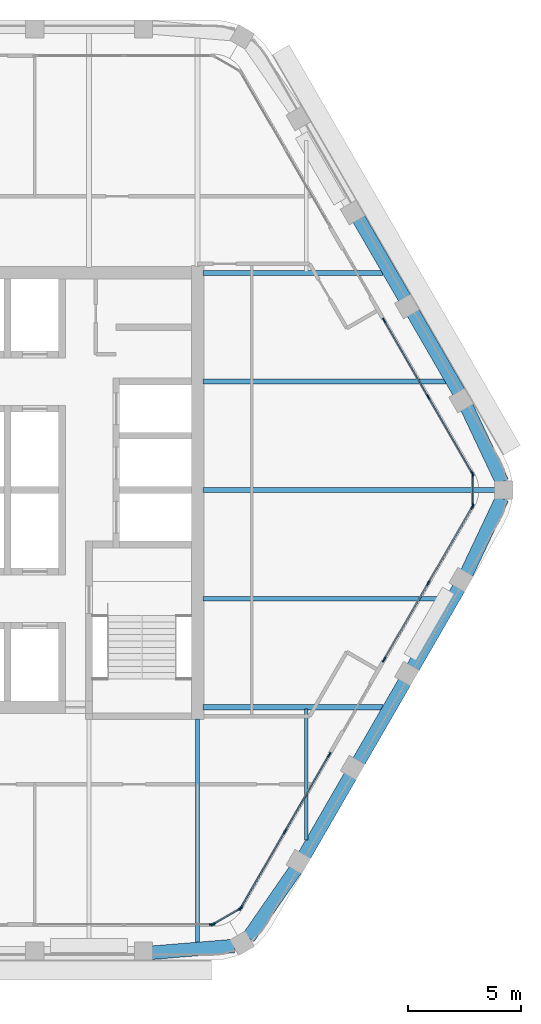
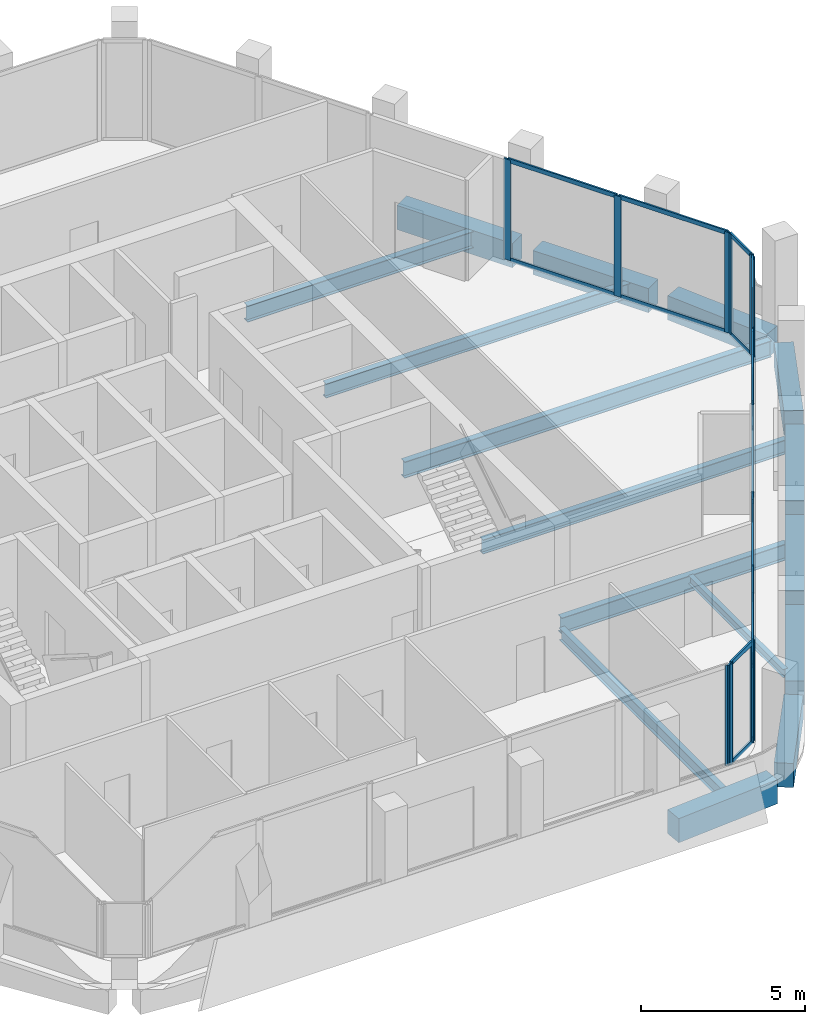
# One storey, part 4 of 13: 30 members, 16 beams, 6 elements without a shape of their own.
"""IFC4 building model written with IfcOpenShell, lengths in metres."""

import ifcopenshell
import ifcopenshell.guid

model = None  # the IFC model being written
_history = None  # IfcOwnerHistory: only IFC2X3 demands one
_inside = {}  # id of a spatial element -> (the spatial element, [elements in it])
_under = {}  # id of a project, library or spatial element -> (it, [spatial elements below it])
_declared = {}  # id of a project -> (the project, [libraries it declares])
_typed = {}  # id of a type object -> (the type object, [elements of that type])
_made_of = {}  # id of a material, layer set ... -> (it, [elements and type objects made of it])


def new_model(schema):
    """Start an empty IFC model of exactly this schema.

    Asked for "IFC4X3", IfcOpenShell would pick the latest addendum, in which some entities
    have other attributes; the version numbers below select the first issue.
    IFC2X3 requires an IfcOwnerHistory on every rooted entity: one is made here for all.
    """
    global model, _history
    if schema == "IFC4X3":
        model = ifcopenshell.file(schema_version=(4, 3, 0, 0))
    else:
        model = ifcopenshell.file(schema=schema)
    _inside.clear()
    _under.clear()
    _declared.clear()
    _typed.clear()
    _made_of.clear()
    _history = None
    if model.schema == "IFC2X3":
        org = make("IfcOrganization", Name="unknown")
        user = make(
            "IfcPersonAndOrganization",
            ThePerson=make("IfcPerson", FamilyName="unknown"),
            TheOrganization=org,
        )
        app = make(
            "IfcApplication",
            ApplicationDeveloper=org,
            Version="unknown",
            ApplicationFullName="unknown",
            ApplicationIdentifier="unknown",
        )
        _history = make(
            "IfcOwnerHistory",
            OwningUser=user,
            OwningApplication=app,
            ChangeAction="ADDED",
            CreationDate=0,
        )
    return model


def make(cls, **values):
    """One entity of the class cls with the attributes given. An attribute that is None is left unset."""
    return model.create_entity(
        cls, **{name: value for name, value in values.items() if value is not None}
    )


def rooted(cls, **values):
    """An entity with a GlobalId (a new one), such as an element, a storey or a relation."""
    return make(cls, GlobalId=ifcopenshell.guid.new(), OwnerHistory=_history, **values)


def si_unit(unit_type, name, prefix=None):
    """IfcSIUnit, for example si_unit("LENGTHUNIT", "METRE", prefix="MILLI")."""
    return make("IfcSIUnit", UnitType=unit_type, Prefix=prefix, Name=name)


def assignment(units):
    """IfcUnitAssignment: the units of a project."""
    return None if units is None else make("IfcUnitAssignment", Units=units)


def point(xyz):
    """IfcCartesianPoint."""
    return None if xyz is None else make("IfcCartesianPoint", Coordinates=xyz)


def direction(xyz):
    """IfcDirection."""
    return None if xyz is None else make("IfcDirection", DirectionRatios=xyz)


def frame(location, z_axis=None, x_axis=None):
    """IfcAxis2Placement3D, a coordinate frame: its origin and axes. An axis left out is left unset."""
    return make(
        "IfcAxis2Placement3D",
        Location=point(location),
        Axis=direction(z_axis),
        RefDirection=direction(x_axis),
    )


def frame_2d(location, x_axis=None):
    """IfcAxis2Placement2D, a coordinate frame in the plane: its origin and x axis."""
    return make(
        "IfcAxis2Placement2D", Location=point(location), RefDirection=direction(x_axis)
    )


def origin():
    """The frame at (0, 0, 0) with its axes left unset."""
    return frame((0.0, 0.0, 0.0))


def origin_2d():
    """The frame at (0, 0) in the plane with its x axis left unset."""
    return frame_2d((0.0, 0.0))


def place(relative_to, where):
    """IfcLocalPlacement: puts the frame where relative to a parent placement (None: the world)."""
    return make(
        "IfcLocalPlacement", PlacementRelTo=relative_to, RelativePlacement=where
    )


def context(
    kind, dimensions, precision=None, world=None, true_north=None, identifier=None
):
    """IfcGeometricRepresentationContext, for example the 3D "Model" context."""
    return make(
        "IfcGeometricRepresentationContext",
        ContextIdentifier=identifier,
        ContextType=kind,
        CoordinateSpaceDimension=dimensions,
        Precision=precision,
        WorldCoordinateSystem=world,
        TrueNorth=true_north,
    )


def subcontext(parent, identifier, kind, view, scale=None):
    """IfcGeometricRepresentationSubContext, for example "Body" below "Model"."""
    return make(
        "IfcGeometricRepresentationSubContext",
        ContextIdentifier=identifier,
        ContextType=kind,
        ParentContext=parent,
        TargetScale=scale,
        TargetView=view,
    )


def project(units=None, contexts=None):
    """IfcProject with its units and contexts."""
    return rooted(
        "IfcProject",
        Name="project",
        RepresentationContexts=contexts,
        UnitsInContext=assignment(units),
    )


def spatial(cls, under=None, at=None, **own):
    """A site, building, storey or space (cls), placed at a placement, below another one or the project."""
    s = rooted(cls, ObjectPlacement=at, **own)
    if under is not None:
        _under.setdefault(under.id(), (under, []))[1].append(s)
    return s


def profile(cls, at=None, kind="AREA", **sizes):
    """A parametric profile (cls). Its sizes go by their IFC names, for example OverallWidth=200.0."""
    return make(cls, ProfileType=kind, Position=at, **sizes)


def rectangle(**sizes):
    """IfcRectangleProfileDef."""
    return profile("IfcRectangleProfileDef", **sizes)


def i_section(**sizes):
    """IfcIShapeProfileDef."""
    return profile("IfcIShapeProfileDef", **sizes)


def extrude(swept, where, along, depth):
    """IfcExtrudedAreaSolid: the profile swept, set in the frame where, extruded along a direction by depth."""
    return make(
        "IfcExtrudedAreaSolid",
        SweptArea=swept,
        Position=where,
        ExtrudedDirection=direction(along),
        Depth=depth,
    )


def shape(context_of_items, identifier, shape_type, items):
    """IfcShapeRepresentation: the items that make up one representation, for example the "Body"."""
    return make(
        "IfcShapeRepresentation",
        ContextOfItems=context_of_items,
        RepresentationIdentifier=identifier,
        RepresentationType=shape_type,
        Items=items,
    )


def material(Name=None, Category=None):
    """IfcMaterial."""
    return make("IfcMaterial", Name=Name, Category=Category)


def material_profile(
    of_material, cross_section, Name=None, Category=None, Priority=None
):
    """IfcMaterialProfile: a cross section and its material."""
    return make(
        "IfcMaterialProfile",
        Name=Name,
        Material=of_material,
        Profile=cross_section,
        Priority=Priority,
        Category=Category,
    )


def profile_set(profiles, Name=None, composite=None):
    """IfcMaterialProfileSet."""
    return make(
        "IfcMaterialProfileSet",
        Name=Name,
        MaterialProfiles=profiles,
        CompositeProfile=composite,
    )


def made_of(thing, what):
    """Note that an element or type object is made of a material, layer set ...; save() writes the relation."""
    if what is not None:
        _made_of.setdefault(what.id(), (what, []))[1].append(thing)
    return thing


def type_object(cls, material=None, **own):
    """A type object (cls), such as IfcWallType, which elements share."""
    return made_of(rooted(cls, **own), material)


def element(
    cls,
    number,
    at=None,
    inside=None,
    cuts=None,
    type_object=None,
    material=None,
    context=None,
    identifier="Body",
    shape_type=None,
    held_by="IfcProductDefinitionShape",
    body=None,
    shapes=None,
    **own,
):
    """One element of the class cls, such as IfcWall. Its Tag is "e" and its number.

    at: its placement. inside: the storey or other place that contains it. cuts: it is an
    opening in that element (IfcRelVoidsElement). A single representation is given by context,
    identifier, shape_type and body (its items); several are given by shapes. held_by: the class
    of the entity that holds the representations. save() writes the other relations.
    """
    e = rooted(cls, Tag="e%d" % number, ObjectPlacement=at, **own)
    if body is not None:
        shapes = [shape(context, identifier, shape_type, body)]
    if shapes is not None:
        e.Representation = make(held_by, Representations=shapes)
    if inside is not None:
        _inside.setdefault(inside.id(), (inside, []))[1].append(e)
    if cuts is not None:
        rooted(
            "IfcRelVoidsElement", RelatingBuildingElement=cuts, RelatedOpeningElement=e
        )
    if type_object is not None:
        _typed.setdefault(type_object.id(), (type_object, []))[1].append(e)
    return made_of(e, material)


def aggregate(whole, parts):
    """IfcRelAggregates: a whole, such as a stair, and the parts it consists of."""
    return rooted("IfcRelAggregates", RelatingObject=whole, RelatedObjects=parts)


def save(model, path):
    """Write the relations noted so far, then the file.

    IfcRelAggregates (storeys below a building ...), IfcRelContainedInSpatialStructure (elements
    in a storey), IfcRelDefinesByType, IfcRelAssociatesMaterial and IfcRelDeclares: one each for
    every whole, place, type object, material and project.
    """
    for whole, parts in _under.values():
        aggregate(whole, parts)
    for where, things in _inside.values():
        rooted(
            "IfcRelContainedInSpatialStructure",
            RelatedElements=things,
            RelatingStructure=where,
        )
    for kind, things in _typed.values():
        rooted("IfcRelDefinesByType", RelatedObjects=things, RelatingType=kind)
    for what, things in _made_of.values():
        rooted("IfcRelAssociatesMaterial", RelatedObjects=things, RelatingMaterial=what)
    for by, libraries in _declared.values():
        rooted("IfcRelDeclares", RelatingContext=by, RelatedDefinitions=libraries)
    model.write(path)


model = new_model("IFC4")

# Units and contexts
model_context = context("Model", 3, precision=1e-05, world=origin(), true_north=direction((0.0, 1.0)))
body_context = subcontext(model_context, "Body", "Model", "MODEL_VIEW")
ifc_project = project(units=[si_unit("LENGTHUNIT", "METRE"), si_unit("AREAUNIT", "SQUARE_METRE"), si_unit("VOLUMEUNIT", "CUBIC_METRE"), si_unit("PLANEANGLEUNIT", "RADIAN"), si_unit("MASSUNIT", "GRAM", prefix="KILO")], contexts=[model_context])

# Site, building, storey
site_placement = place(None, origin())
site = spatial("IfcSite", under=ifc_project, at=site_placement, CompositionType="ELEMENT")
building_placement = place(site_placement, origin())
building = spatial("IfcBuilding", under=site, at=building_placement, Name="Kolab Exchange Tower", CompositionType="ELEMENT")
storey_placement = place(building_placement, frame((0.0, 0.0, 277.39990234375)))
storey = spatial("IfcBuildingStorey", under=building, at=storey_placement, Name="L62", CompositionType="ELEMENT", Elevation=277.39990234375)

# Beams
ifc_material_1 = material(Name="Steel S355", Category="steel")
ifc_material_profile_1 = material_profile(ifc_material_1, i_section(OverallWidth=0.1650390625, OverallDepth=0.31005859375, WebThickness=0.005859375, FlangeThickness=0.009765625, at=origin_2d()), Name="W310X39")
ifc_profile_set_1 = profile_set([ifc_material_profile_1], Name="Steel S355")
beam_type_1 = type_object("IfcBeamType", Name="FLOOR BEAM W310X39", PredefinedType="BEAM", material=ifc_profile_set_1)
beam_1_placement = place(storey_placement, frame((14.39990234375, -15.4677734375, -0.304931640625), z_axis=(0.0, 1.0, 0.0), x_axis=(-1.0, 0.0, 0.0)))
element("IfcBeam", 1, at=beam_1_placement, inside=storey, type_object=beam_type_1, Name="beam/L62/fr/018", PredefinedType="BEAM", context=body_context, shape_type="SweptSolid", body=[
    extrude(i_section(OverallWidth=0.1650390625, OverallDepth=0.31005859375, WebThickness=0.005859375, FlangeThickness=0.009765625, at=origin_2d()), origin(), (0.0, 0.0, 1.0), 5.793701171875),
])
ifc_material_profile_2 = material_profile(ifc_material_1, i_section(OverallWidth=0.18994140625, OverallDepth=0.45703125, WebThickness=0.009033203125, FlangeThickness=0.014404296875, at=origin_2d()), Name="W460X74")
ifc_profile_set_2 = profile_set([ifc_material_profile_2], Name="Steel S355")
beam_type_2 = type_object("IfcBeamType", Name="FLOOR BEAM W460X74", PredefinedType="BEAM", material=ifc_profile_set_2)
beam_2_placement = place(storey_placement, frame((9.60009765625, -20.027099609375, -0.37841796875), z_axis=(0.0, 1.0, 0.0), x_axis=(-1.0, 0.0, 0.0)))
element("IfcBeam", 2, at=beam_2_placement, inside=storey, type_object=beam_type_2, Name="beam/L62/fr/013", PredefinedType="BEAM", context=body_context, shape_type="SweptSolid", body=[
    extrude(i_section(OverallWidth=0.18994140625, OverallDepth=0.45703125, WebThickness=0.009033203125, FlangeThickness=0.014404296875, at=origin_2d()), origin(), (0.0, 0.0, 1.0), 9.9169921875),
])
ifc_material_profile_3 = material_profile(ifc_material_1, i_section(OverallWidth=0.208984375, OverallDepth=0.532958984375, WebThickness=0.01025390625, FlangeThickness=0.015625, at=origin_2d()), Name="W530X92")
ifc_profile_set_3 = profile_set([ifc_material_profile_3], Name="Steel S355")
beam_type_3 = type_object("IfcBeamType", Name="FLOOR BEAM W530X92", PredefinedType="BEAM", material=ifc_profile_set_3)
for number, where, z_axis, x_axis, name in (
    (3, (9.8349609375, -4.800048828125, -0.41650390625), (1.0, 0.0, 0.0), (0.0, 1.0, 0.0), "beam/L62/fr/015"),
    (4, (9.8349609375, 4.800048828125, -0.41650390625), (1.0, 0.0, 0.0), (0.0, 1.0, 0.0), "beam/L62/fr/017"),
):
    element("IfcBeam", number, at=place(storey_placement, frame(where, z_axis=z_axis, x_axis=x_axis)), inside=storey, type_object=beam_type_3, Name=name, PredefinedType="BEAM", context=body_context, shape_type="SweptSolid", body=[
        extrude(i_section(OverallWidth=0.208984375, OverallDepth=0.532958984375, WebThickness=0.01025390625, FlangeThickness=0.015625, at=origin_2d()), origin(), (0.0, 0.0, 1.0), 10.740966796875),
    ])
ifc_material_profile_4 = material_profile(ifc_material_1, i_section(OverallWidth=0.22802734375, OverallDepth=0.60791015625, WebThickness=0.01123046875, FlangeThickness=0.017333984375, at=origin_2d()), Name="W610X113")
ifc_profile_set_4 = profile_set([ifc_material_profile_4], Name="Steel S355")
beam_type_4 = type_object("IfcBeamType", Name="FLOOR BEAM W610X113", PredefinedType="BEAM", material=ifc_profile_set_4)
beam_3_placement = place(storey_placement, frame((9.8349609375, 0.0, -0.453857421875), z_axis=(1.0, 0.0, 0.0), x_axis=(0.0, 1.0, 0.0)))
element("IfcBeam", 5, at=beam_3_placement, inside=storey, type_object=beam_type_4, Name="beam/L62/fr/016", PredefinedType="BEAM", context=body_context, shape_type="SweptSolid", body=[
    extrude(i_section(OverallWidth=0.22802734375, OverallDepth=0.60791015625, WebThickness=0.01123046875, FlangeThickness=0.017333984375, at=origin_2d()), origin(), (0.0, 0.0, 1.0), 12.94091796875),
])
ifc_material_profile_5 = material_profile(ifc_material_1, i_section(OverallWidth=0.22802734375, OverallDepth=0.60791015625, WebThickness=0.01123046875, FlangeThickness=0.017333984375, at=origin_2d()), Name="W610X113")
ifc_profile_set_5 = profile_set([ifc_material_profile_5], Name="Steel S355")
beam_type_5 = type_object("IfcBeamType", Name="FLOOR GIRDER W610X113", PredefinedType="BEAM", material=ifc_profile_set_5)
for number, where, z_axis, x_axis, name in (
    (6, (9.8349609375, -9.60009765625, -0.453857421875), (1.0, 0.0, 0.0), (0.0, 1.0, 0.0), "beam/L62/gd/002"),
    (7, (9.8349609375, 9.60009765625, -0.453857421875), (1.0, 0.0, 0.0), (0.0, 1.0, 0.0), "beam/L62/gd/003"),
):
    element("IfcBeam", number, at=place(storey_placement, frame(where, z_axis=z_axis, x_axis=x_axis)), inside=storey, type_object=beam_type_5, Name=name, PredefinedType="BEAM", context=body_context, shape_type="SweptSolid", body=[
        extrude(i_section(OverallWidth=0.22802734375, OverallDepth=0.60791015625, WebThickness=0.01123046875, FlangeThickness=0.017333984375, at=origin_2d()), origin(), (0.0, 0.0, 1.0), 7.9697265625),
    ])
ifc_material_2 = material(Name="Concrete C50/60", Category="concrete")
ifc_material_profile_6 = material_profile(ifc_material_2, rectangle(XDim=0.60009765625, YDim=0.89990234375, at=origin_2d()), Name="RC600X900")
ifc_profile_set_6 = profile_set([ifc_material_profile_6], Name="Concrete C50/60")
beam_type_6 = type_object("IfcBeamType", Name="SPANDREL BEAM 600X900 C50/60", PredefinedType="BEAM", material=ifc_profile_set_6)
for number, where, z_axis, x_axis, name in (
    (8, (16.72021484375, 12.009033203125, -0.599853515625), (0.500000428765, -0.866025156237, 0.0), (0.866025156237, 0.500000428765, 0.0), "beam/L62/sp/F2-03"),
    (9, (19.1201171875, 7.85205078125, -0.599853515625), (0.500000428765, -0.866025156237, 0.0), (0.866025156237, 0.500000428765, 0.0), "beam/L62/sp/F2-04"),
):
    element("IfcBeam", number, at=place(storey_placement, frame(where, z_axis=z_axis, x_axis=x_axis)), inside=storey, type_object=beam_type_6, Name=name, PredefinedType="BEAM", context=body_context, shape_type="SweptSolid", body=[
        extrude(rectangle(XDim=0.60009765625, YDim=0.89990234375, at=origin_2d()), origin(), (0.0, 0.0, 1.0), 4.080078125),
    ])
for number, where, z_axis, x_axis, name in (
    (10, (21.49462890625, 3.68017578125, -0.599853515625), (0.427677251998, -0.903931506323, 0.0), (0.903931506323, 0.427677251998, 0.0), "beam/L62/sp/F2-05"),
    (11, (23.063720703125, -0.36376953125, -0.599853515625), (-0.427677251998, -0.903931506323, 0.0), (0.903931506323, -0.427677251998, 0.0), "beam/L62/sp/F3-01"),
):
    element("IfcBeam", number, at=place(storey_placement, frame(where, z_axis=z_axis, x_axis=x_axis)), inside=storey, type_object=beam_type_6, Name=name, PredefinedType="BEAM", context=body_context, shape_type="SweptSolid", body=[
        extrude(rectangle(XDim=0.60009765625, YDim=0.89990234375, at=origin_2d()), origin(), (0.0, 0.0, 1.0), 3.6689453125),
    ])
for number, where, z_axis, x_axis, name in (
    (12, (21.16015625, -4.318603515625, -0.599853515625), (-0.500000428765, -0.866025156237, 0.0), (0.866025156237, -0.500000428765, 0.0), "beam/L62/sp/F3-02"),
    (13, (18.76025390625, -8.4755859375, -0.599853515625), (-0.500000428765, -0.866025156237, 0.0), (0.866025156237, -0.500000428765, 0.0), "beam/L62/sp/F3-03"),
):
    element("IfcBeam", number, at=place(storey_placement, frame(where, z_axis=z_axis, x_axis=x_axis)), inside=storey, type_object=beam_type_6, Name=name, PredefinedType="BEAM", context=body_context, shape_type="SweptSolid", body=[
        extrude(rectangle(XDim=0.60009765625, YDim=0.89990234375, at=origin_2d()), origin(), (0.0, 0.0, 1.0), 4.080078125),
    ])
beam_4_placement = place(storey_placement, frame((16.360107421875, -12.632568359375, -0.599853515625), z_axis=(-0.499955548806, -0.866051066172, 0.0), x_axis=(0.866051066172, -0.499955548806, 0.0)))
element("IfcBeam", 14, at=beam_4_placement, inside=storey, type_object=beam_type_6, Name="beam/L62/sp/F3-04", PredefinedType="BEAM", context=body_context, shape_type="SweptSolid", body=[
    extrude(rectangle(XDim=0.60009765625, YDim=0.89990234375, at=origin_2d()), origin(), (0.0, 0.0, 1.0), 4.079833984375),
])
for number, where, z_axis, x_axis, name in (
    (15, (13.9345703125, -16.77490234375, -0.599853515625), (-0.569005808573, -0.822333502789, 0.0), (0.822333502789, -0.569005808573, 0.0), "beam/L62/sp/F3-05"),
    (16, (11.216796875, -20.15576171875, -0.599853515625), (-0.996666751878, -0.081580547323, 0.0), (0.081580547323, -0.996666751878, 0.0), "beam/L62/sp/F4-01"),
):
    element("IfcBeam", number, at=place(storey_placement, frame(where, z_axis=z_axis, x_axis=x_axis)), inside=storey, type_object=beam_type_6, Name=name, PredefinedType="BEAM", context=body_context, shape_type="SweptSolid", body=[
        extrude(rectangle(XDim=0.60009765625, YDim=0.89990234375, at=origin_2d()), origin(), (0.0, 0.0, 1.0), 3.6689453125),
    ])

# Curtain wall, members
ifc_material_3 = material(Name="Aluminium EN AW-6063 T6", Category="aluminium")
curtain_wall_type = type_object("IfcCurtainWallType", Name="UNITISED HIGH ZONE CURTAIN WALL", PredefinedType="NOTDEFINED", material=ifc_material_3)
curtain_wall_1_placement = place(storey_placement, origin())
curtain_wall_1 = element("IfcCurtainWall", 17, at=curtain_wall_1_placement, inside=storey, type_object=curtain_wall_type, Name="cw/L62/F2-2", PredefinedType="NOTDEFINED")
ifc_material_profile_7 = material_profile(ifc_material_3, rectangle(XDim=0.06005859375, YDim=0.239990234375, at=origin_2d()), Name="RECT 60X240")
ifc_profile_set_7 = profile_set([ifc_material_profile_7], Name="Aluminium EN AW-6063 T6")
member_type_1 = type_object("IfcMemberType", Name="UNITISED HIGH ZONE MULLION 60 X 240", PredefinedType="MULLION", material=ifc_profile_set_7)
member_1_placement = place(storey_placement, frame((17.8466796875, 7.497802734375, 0.0), z_axis=(0.0, 0.0, 1.0), x_axis=(0.866025440524, 0.499999936366, 0.0)))
member_1 = element("IfcMember", 18, at=member_1_placement, type_object=member_type_1, Name="CW4 mullion 1", PredefinedType="MULLION", context=body_context, shape_type="SweptSolid", body=[
    extrude(rectangle(XDim=0.06005859375, YDim=0.239990234375, at=origin_2d()), origin(), (0.0, 0.0, 1.0), 3.75),
])
member_2_placement = place(storey_placement, frame((19.798583984375, 4.116943359375, 0.0), z_axis=(0.0, 0.0, 1.0), x_axis=(0.866025440524, 0.499999936366, 0.0)))
member_2 = element("IfcMember", 19, at=member_2_placement, type_object=member_type_1, Name="CW4 mullion 2", PredefinedType="MULLION", context=body_context, shape_type="SweptSolid", body=[
    extrude(rectangle(XDim=0.06005859375, YDim=0.239990234375, at=origin_2d()), origin(), (0.0, 0.0, 1.0), 3.75),
])
member_3_placement = place(storey_placement, frame((21.750732421875, 0.736083984375, 0.0), z_axis=(0.0, 0.0, 1.0), x_axis=(0.866025440524, 0.499999936366, 0.0)))
member_3 = element("IfcMember", 20, at=member_3_placement, type_object=member_type_1, Name="CW4 mullion 3", PredefinedType="MULLION", context=body_context, shape_type="SweptSolid", body=[
    extrude(rectangle(XDim=0.06005859375, YDim=0.239990234375, at=origin_2d()), origin(), (0.0, 0.0, 1.0), 3.75),
])

curtain_wall_2_placement = place(storey_placement, origin())
curtain_wall_2 = element("IfcCurtainWall", 21, at=curtain_wall_2_placement, inside=storey, type_object=curtain_wall_type, Name="cw/L62/F3-1", PredefinedType="NOTDEFINED")
member_4_placement = place(storey_placement, frame((21.750732421875, -0.736083984375, 0.0), z_axis=(0.0, 0.0, 1.0), x_axis=(0.866025440524, -0.499999936366, 0.0)))
member_4 = element("IfcMember", 22, at=member_4_placement, type_object=member_type_1, Name="CW4 mullion 1", PredefinedType="MULLION", context=body_context, shape_type="SweptSolid", body=[
    extrude(rectangle(XDim=0.06005859375, YDim=0.239990234375, at=origin_2d()), origin(), (0.0, 0.0, 1.0), 3.75),
])
member_5_placement = place(storey_placement, frame((19.798583984375, -4.116943359375, 0.0), z_axis=(0.0, 0.0, 1.0), x_axis=(0.866025440524, -0.499999936366, 0.0)))
member_5 = element("IfcMember", 23, at=member_5_placement, type_object=member_type_1, Name="CW4 mullion 2", PredefinedType="MULLION", context=body_context, shape_type="SweptSolid", body=[
    extrude(rectangle(XDim=0.06005859375, YDim=0.239990234375, at=origin_2d()), origin(), (0.0, 0.0, 1.0), 3.75),
])
member_6_placement = place(storey_placement, frame((17.8466796875, -7.497802734375, 0.0), z_axis=(0.0, 0.0, 1.0), x_axis=(0.866025440524, -0.499999936366, 0.0)))
member_6 = element("IfcMember", 24, at=member_6_placement, type_object=member_type_1, Name="CW4 mullion 3", PredefinedType="MULLION", context=body_context, shape_type="SweptSolid", body=[
    extrude(rectangle(XDim=0.06005859375, YDim=0.239990234375, at=origin_2d()), origin(), (0.0, 0.0, 1.0), 3.75),
])

curtain_wall_3_placement = place(storey_placement, origin())
curtain_wall_3 = element("IfcCurtainWall", 25, at=curtain_wall_3_placement, inside=storey, type_object=curtain_wall_type, Name="cw/L62/F3-2", PredefinedType="NOTDEFINED")
member_7_placement = place(storey_placement, frame((15.416748046875, -11.706787109375, 0.0), z_axis=(0.0, 0.0, 1.0), x_axis=(0.866025385493, -0.500000031681, 0.0)))
member_7 = element("IfcMember", 26, at=member_7_placement, type_object=member_type_1, Name="CW4 mullion 1", PredefinedType="MULLION", context=body_context, shape_type="SweptSolid", body=[
    extrude(rectangle(XDim=0.06005859375, YDim=0.239990234375, at=origin_2d()), origin(), (0.0, 0.0, 1.0), 3.75),
])
member_8_placement = place(storey_placement, frame((13.464599609375, -15.087646484375, 0.0), z_axis=(0.0, 0.0, 1.0), x_axis=(0.866025385493, -0.500000031681, 0.0)))
member_8 = element("IfcMember", 27, at=member_8_placement, type_object=member_type_1, Name="CW4 mullion 2", PredefinedType="MULLION", context=body_context, shape_type="SweptSolid", body=[
    extrude(rectangle(XDim=0.06005859375, YDim=0.239990234375, at=origin_2d()), origin(), (0.0, 0.0, 1.0), 3.75),
])
member_9_placement = place(storey_placement, frame((11.5126953125, -18.46875, 0.0), z_axis=(0.0, 0.0, 1.0), x_axis=(0.866025385493, -0.500000031681, 0.0)))
member_9 = element("IfcMember", 28, at=member_9_placement, type_object=member_type_1, Name="CW4 mullion 3", PredefinedType="MULLION", context=body_context, shape_type="SweptSolid", body=[
    extrude(rectangle(XDim=0.06005859375, YDim=0.239990234375, at=origin_2d()), origin(), (0.0, 0.0, 1.0), 3.75),
])

# Curtain wall, member
curtain_wall_4_placement = place(storey_placement, origin())
curtain_wall_4 = element("IfcCurtainWall", 29, at=curtain_wall_4_placement, inside=storey, type_object=curtain_wall_type, Name="cw/L62/F4-1", PredefinedType="NOTDEFINED")
member_10_placement = place(storey_placement, frame((10.238037109375, -19.20458984375, 0.0), z_axis=(0.0, 0.0, 1.0), x_axis=(0.0, -1.0, 0.0)))
member_10 = element("IfcMember", 30, at=member_10_placement, type_object=member_type_1, Name="CW4 mullion 1", PredefinedType="MULLION", context=body_context, shape_type="SweptSolid", body=[
    extrude(rectangle(XDim=0.06005859375, YDim=0.239990234375, at=origin_2d()), origin(), (0.0, 0.0, 1.0), 3.75),
])
aggregate(curtain_wall_4, [member_10])

# Curtain wall, members
curtain_wall_5_placement = place(storey_placement, origin())
curtain_wall_5 = element("IfcCurtainWall", 31, at=curtain_wall_5_placement, inside=storey, type_object=curtain_wall_type, Name="cw/L62/F2F3-corner", PredefinedType="NOTDEFINED")
member_11_placement = place(storey_placement, frame((21.765625, 0.679931640625, 0.0), z_axis=(0.0, 0.0, 1.0), x_axis=(1.0, 0.0, 0.0)))
member_11 = element("IfcMember", 32, at=member_11_placement, type_object=member_type_1, Name="CW4 mullion 1", PredefinedType="MULLION", context=body_context, shape_type="SweptSolid", body=[
    extrude(rectangle(XDim=0.06005859375, YDim=0.239990234375, at=origin_2d()), origin(), (0.0, 0.0, 1.0), 3.75),
])
member_12_placement = place(storey_placement, frame((21.765625, -0.679931640625, 0.0), z_axis=(0.0, 0.0, 1.0), x_axis=(1.0, 0.0, 0.0)))
member_12 = element("IfcMember", 33, at=member_12_placement, type_object=member_type_1, Name="CW4 mullion 2", PredefinedType="MULLION", context=body_context, shape_type="SweptSolid", body=[
    extrude(rectangle(XDim=0.06005859375, YDim=0.239990234375, at=origin_2d()), origin(), (0.0, 0.0, 1.0), 3.75),
])

curtain_wall_6_placement = place(storey_placement, origin())
curtain_wall_6 = element("IfcCurtainWall", 34, at=curtain_wall_6_placement, inside=storey, type_object=curtain_wall_type, Name="cw/L62/F3F4-corner", PredefinedType="NOTDEFINED")
member_13_placement = place(storey_placement, frame((11.4716796875, -18.509521484375, 0.0), z_axis=(0.0, 0.0, 1.0), x_axis=(0.50000002237, -0.866025390869, 0.0)))
member_13 = element("IfcMember", 35, at=member_13_placement, type_object=member_type_1, Name="CW4 mullion 1", PredefinedType="MULLION", context=body_context, shape_type="SweptSolid", body=[
    extrude(rectangle(XDim=0.06005859375, YDim=0.239990234375, at=origin_2d()), origin(), (0.0, 0.0, 1.0), 3.75),
])
member_14_placement = place(storey_placement, frame((10.2939453125, -19.189697265625, 0.0), z_axis=(0.0, 0.0, 1.0), x_axis=(0.50000002237, -0.866025390869, 0.0)))
member_14 = element("IfcMember", 36, at=member_14_placement, type_object=member_type_1, Name="CW4 mullion 2", PredefinedType="MULLION", context=body_context, shape_type="SweptSolid", body=[
    extrude(rectangle(XDim=0.06005859375, YDim=0.239990234375, at=origin_2d()), origin(), (0.0, 0.0, 1.0), 3.75),
])

# Member
ifc_material_profile_8 = material_profile(ifc_material_3, rectangle(XDim=0.06005859375, YDim=0.159912109375, at=origin_2d()), Name="RECT 60X160")
ifc_profile_set_8 = profile_set([ifc_material_profile_8], Name="Aluminium EN AW-6063 T6")
member_type_2 = type_object("IfcMemberType", Name="UNITISED HIGH ZONE TRANSOM 60 X 160", PredefinedType="USERDEFINED", material=ifc_profile_set_8)
member_15_placement = place(storey_placement, frame((17.861572265625, 7.471923828125, 0.030029296875), z_axis=(0.500011990396, -0.866018481016, 0.0), x_axis=(0.866018481016, 0.500011990396, 0.0)))
member_15 = element("IfcMember", 37, at=member_15_placement, type_object=member_type_2, Name="CW4 transom 1.1", ObjectType="TRANSOM", PredefinedType="USERDEFINED", context=body_context, shape_type="SweptSolid", body=[
    extrude(rectangle(XDim=0.06005859375, YDim=0.159912109375, at=origin_2d()), origin(), (0.0, 0.0, 1.0), 3.84423828125),
])

member_16_placement = place(storey_placement, frame((17.861572265625, 7.471923828125, 3.72021484375), z_axis=(0.500011990396, -0.866018481016, 0.0), x_axis=(0.866018481016, 0.500011990396, 0.0)))
member_16 = element("IfcMember", 38, at=member_16_placement, type_object=member_type_2, Name="CW4 transom 1.2", ObjectType="TRANSOM", PredefinedType="USERDEFINED", context=body_context, shape_type="SweptSolid", body=[
    extrude(rectangle(XDim=0.06005859375, YDim=0.159912109375, at=origin_2d()), origin(), (0.0, 0.0, 1.0), 3.84423828125),
])

member_17_placement = place(storey_placement, frame((19.813720703125, 4.0908203125, 0.030029296875), z_axis=(0.499991857942, -0.866030104553, 0.0), x_axis=(0.866030104553, 0.499991857942, 0.0)))
member_17 = element("IfcMember", 39, at=member_17_placement, type_object=member_type_2, Name="CW4 transom 2.1", ObjectType="TRANSOM", PredefinedType="USERDEFINED", context=body_context, shape_type="SweptSolid", body=[
    extrude(rectangle(XDim=0.06005859375, YDim=0.159912109375, at=origin_2d()), origin(), (0.0, 0.0, 1.0), 3.84375),
])

member_18_placement = place(storey_placement, frame((19.813720703125, 4.0908203125, 3.72021484375), z_axis=(0.499991857942, -0.866030104553, 0.0), x_axis=(0.866030104553, 0.499991857942, 0.0)))
member_18 = element("IfcMember", 40, at=member_18_placement, type_object=member_type_2, Name="CW4 transom 2.2", ObjectType="TRANSOM", PredefinedType="USERDEFINED", context=body_context, shape_type="SweptSolid", body=[
    extrude(rectangle(XDim=0.06005859375, YDim=0.159912109375, at=origin_2d()), origin(), (0.0, 0.0, 1.0), 3.84375),
])

aggregate(curtain_wall_1, [member_1, member_2, member_3, member_15, member_16, member_17, member_18])

member_19_placement = place(storey_placement, frame((21.735595703125, -0.761962890625, 0.030029296875), z_axis=(-0.499991857942, -0.866030104553, 0.0), x_axis=(0.866030104553, -0.499991857942, 0.0)))
member_19 = element("IfcMember", 41, at=member_19_placement, type_object=member_type_2, Name="CW4 transom 1.1", ObjectType="TRANSOM", PredefinedType="USERDEFINED", context=body_context, shape_type="SweptSolid", body=[
    extrude(rectangle(XDim=0.06005859375, YDim=0.159912109375, at=origin_2d()), origin(), (0.0, 0.0, 1.0), 3.84375),
])

member_20_placement = place(storey_placement, frame((21.735595703125, -0.761962890625, 3.72021484375), z_axis=(-0.499991857942, -0.866030104553, 0.0), x_axis=(0.866030104553, -0.499991857942, 0.0)))
member_20 = element("IfcMember", 42, at=member_20_placement, type_object=member_type_2, Name="CW4 transom 1.2", ObjectType="TRANSOM", PredefinedType="USERDEFINED", context=body_context, shape_type="SweptSolid", body=[
    extrude(rectangle(XDim=0.06005859375, YDim=0.159912109375, at=origin_2d()), origin(), (0.0, 0.0, 1.0), 3.84375),
])

member_21_placement = place(storey_placement, frame((19.78369140625, -4.142822265625, 0.030029296875), z_axis=(-0.500011990396, -0.866018481016, 0.0), x_axis=(0.866018481016, -0.500011990396, 0.0)))
member_21 = element("IfcMember", 43, at=member_21_placement, type_object=member_type_2, Name="CW4 transom 2.1", ObjectType="TRANSOM", PredefinedType="USERDEFINED", context=body_context, shape_type="SweptSolid", body=[
    extrude(rectangle(XDim=0.06005859375, YDim=0.159912109375, at=origin_2d()), origin(), (0.0, 0.0, 1.0), 3.84423828125),
])

member_22_placement = place(storey_placement, frame((19.78369140625, -4.142822265625, 3.72021484375), z_axis=(-0.500011990396, -0.866018481016, 0.0), x_axis=(0.866018481016, -0.500011990396, 0.0)))
member_22 = element("IfcMember", 44, at=member_22_placement, type_object=member_type_2, Name="CW4 transom 2.2", ObjectType="TRANSOM", PredefinedType="USERDEFINED", context=body_context, shape_type="SweptSolid", body=[
    extrude(rectangle(XDim=0.06005859375, YDim=0.159912109375, at=origin_2d()), origin(), (0.0, 0.0, 1.0), 3.84423828125),
])

aggregate(curtain_wall_2, [member_4, member_5, member_6, member_19, member_20, member_21, member_22])

member_23_placement = place(storey_placement, frame((15.401611328125, -11.732666015625, 0.030029296875), z_axis=(-0.499964356602, -0.866045981532, 0.0), x_axis=(0.866045981532, -0.499964356602, 0.0)))
member_23 = element("IfcMember", 45, at=member_23_placement, type_object=member_type_2, Name="CW4 transom 1.1", ObjectType="TRANSOM", PredefinedType="USERDEFINED", context=body_context, shape_type="SweptSolid", body=[
    extrude(rectangle(XDim=0.06005859375, YDim=0.159912109375, at=origin_2d()), origin(), (0.0, 0.0, 1.0), 3.843994140625),
])

member_24_placement = place(storey_placement, frame((15.401611328125, -11.732666015625, 3.72021484375), z_axis=(-0.499964356602, -0.866045981532, 0.0), x_axis=(0.866045981532, -0.499964356602, 0.0)))
member_24 = element("IfcMember", 46, at=member_24_placement, type_object=member_type_2, Name="CW4 transom 1.2", ObjectType="TRANSOM", PredefinedType="USERDEFINED", context=body_context, shape_type="SweptSolid", body=[
    extrude(rectangle(XDim=0.06005859375, YDim=0.159912109375, at=origin_2d()), origin(), (0.0, 0.0, 1.0), 3.843994140625),
])

member_25_placement = place(storey_placement, frame((13.44970703125, -15.11376953125, 0.030029296875), z_axis=(-0.500039492609, -0.866002601515, 0.0), x_axis=(0.866002601515, -0.500039492609, 0.0)))
member_25 = element("IfcMember", 47, at=member_25_placement, type_object=member_type_2, Name="CW4 transom 2.1", ObjectType="TRANSOM", PredefinedType="USERDEFINED", context=body_context, shape_type="SweptSolid", body=[
    extrude(rectangle(XDim=0.06005859375, YDim=0.159912109375, at=origin_2d()), origin(), (0.0, 0.0, 1.0), 3.843994140625),
])

member_26_placement = place(storey_placement, frame((13.44970703125, -15.11376953125, 3.72021484375), z_axis=(-0.500039492609, -0.866002601515, 0.0), x_axis=(0.866002601515, -0.500039492609, 0.0)))
member_26 = element("IfcMember", 48, at=member_26_placement, type_object=member_type_2, Name="CW4 transom 2.2", ObjectType="TRANSOM", PredefinedType="USERDEFINED", context=body_context, shape_type="SweptSolid", body=[
    extrude(rectangle(XDim=0.06005859375, YDim=0.159912109375, at=origin_2d()), origin(), (0.0, 0.0, 1.0), 3.843994140625),
])

aggregate(curtain_wall_3, [member_7, member_8, member_9, member_23, member_24, member_25, member_26])

member_27_placement = place(storey_placement, frame((21.765625, 0.64990234375, 0.030029296875), z_axis=(0.0, -1.0, 0.0), x_axis=(1.0, 0.0, 0.0)))
member_27 = element("IfcMember", 49, at=member_27_placement, type_object=member_type_2, Name="CW4 transom 1.1", ObjectType="TRANSOM", PredefinedType="USERDEFINED", context=body_context, shape_type="SweptSolid", body=[
    extrude(rectangle(XDim=0.06005859375, YDim=0.159912109375, at=origin_2d()), origin(), (0.0, 0.0, 1.0), 1.2998046875),
])

member_28_placement = place(storey_placement, frame((21.765625, 0.64990234375, 3.72021484375), z_axis=(0.0, -1.0, 0.0), x_axis=(1.0, 0.0, 0.0)))
member_28 = element("IfcMember", 50, at=member_28_placement, type_object=member_type_2, Name="CW4 transom 1.2", ObjectType="TRANSOM", PredefinedType="USERDEFINED", context=body_context, shape_type="SweptSolid", body=[
    extrude(rectangle(XDim=0.06005859375, YDim=0.159912109375, at=origin_2d()), origin(), (0.0, 0.0, 1.0), 1.2998046875),
])

aggregate(curtain_wall_5, [member_11, member_12, member_27, member_28])

member_29_placement = place(storey_placement, frame((11.44580078125, -18.524658203125, 0.030029296875), z_axis=(-0.866085525409, -0.49989585183, 0.0), x_axis=(0.49989585183, -0.866085525409, 0.0)))
member_29 = element("IfcMember", 51, at=member_29_placement, type_object=member_type_2, Name="CW4 transom 1.1", ObjectType="TRANSOM", PredefinedType="USERDEFINED", context=body_context, shape_type="SweptSolid", body=[
    extrude(rectangle(XDim=0.06005859375, YDim=0.159912109375, at=origin_2d()), origin(), (0.0, 0.0, 1.0), 1.300048828125),
])

member_30_placement = place(storey_placement, frame((11.44580078125, -18.524658203125, 3.72021484375), z_axis=(-0.866085525409, -0.49989585183, 0.0), x_axis=(0.49989585183, -0.866085525409, 0.0)))
member_30 = element("IfcMember", 52, at=member_30_placement, type_object=member_type_2, Name="CW4 transom 1.2", ObjectType="TRANSOM", PredefinedType="USERDEFINED", context=body_context, shape_type="SweptSolid", body=[
    extrude(rectangle(XDim=0.06005859375, YDim=0.159912109375, at=origin_2d()), origin(), (0.0, 0.0, 1.0), 1.300048828125),
])

aggregate(curtain_wall_6, [member_13, member_14, member_29, member_30])

save(model, "model.ifc")
